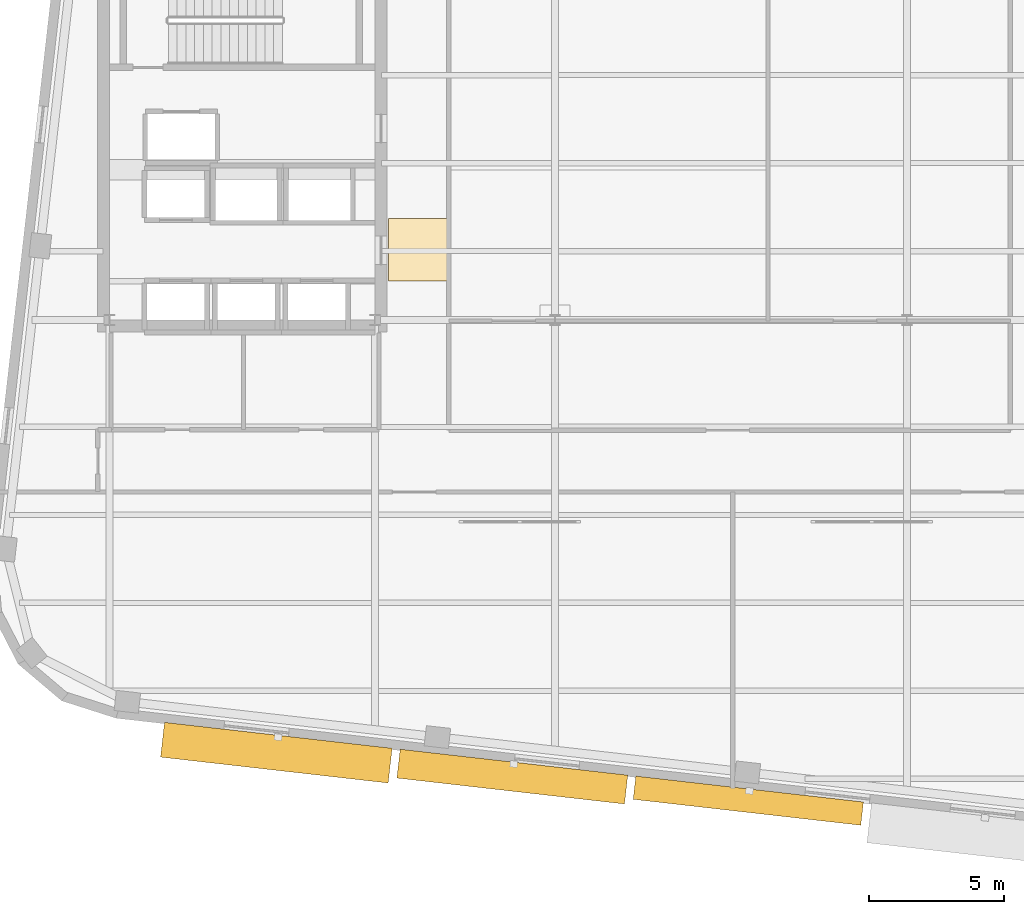
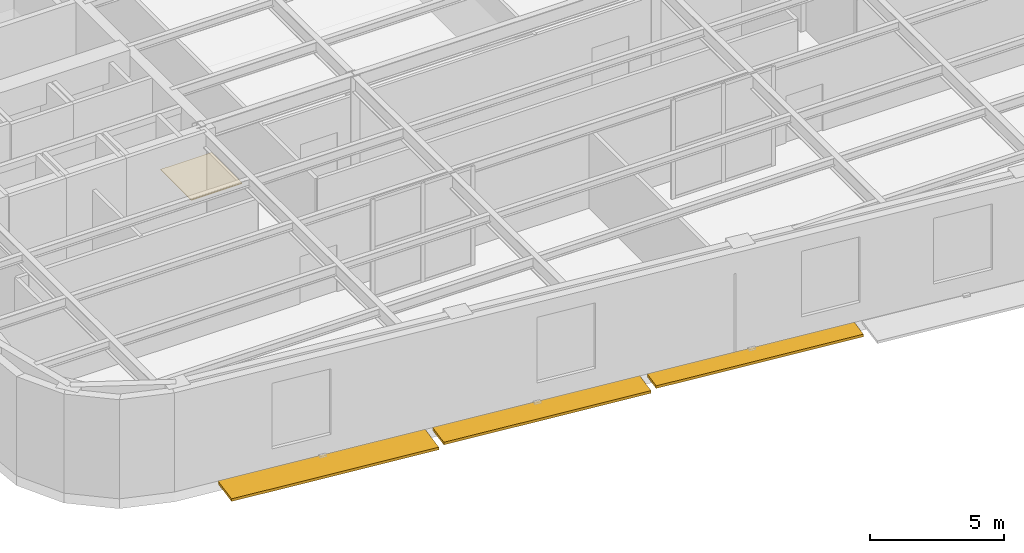
# One storey, part 11 of 15: 3 shading devices, 1 covering.
"""IFC4 building model written with IfcOpenShell, lengths in metres."""

from ifc_helpers import new_model, si_unit, direction, frame, origin, origin_2d, place, context, subcontext, project, spatial, polyline, rectangle, outline, extrude, material, layer, layer_set, type_object, element, save


model = new_model("IFC4")

# Units and contexts
model_context = context("Model", 3, precision=1e-05, world=origin(), true_north=direction((0.0, 1.0)))
body_context = subcontext(model_context, "Body", "Model", "MODEL_VIEW")
ifc_project = project(units=[si_unit("LENGTHUNIT", "METRE"), si_unit("AREAUNIT", "SQUARE_METRE"), si_unit("VOLUMEUNIT", "CUBIC_METRE"), si_unit("PLANEANGLEUNIT", "RADIAN"), si_unit("MASSUNIT", "GRAM", prefix="KILO")], contexts=[model_context])

# Site, building, storey
site_placement = place(None, origin())
site = spatial("IfcSite", under=ifc_project, at=site_placement, CompositionType="ELEMENT")
building_placement = place(site_placement, origin())
building = spatial("IfcBuilding", under=site, at=building_placement, Name="Kolvaren Arena Tower", CompositionType="ELEMENT")
storey_placement = place(building_placement, frame((0.0, 0.0, 216.14990234375)))
storey = spatial("IfcBuildingStorey", under=building, at=storey_placement, Name="L52", CompositionType="ELEMENT", Elevation=216.14990234375)

# Covering
ifc_material_1 = material(Name="Polished granite terrazzo flooring", Category="masonry")
ifc_layer = layer(ifc_material_1, 0.034912109375)
ifc_layer_set = layer_set([ifc_layer], Name="Polished granite terrazzo flooring")
covering_type = type_object("IfcCoveringType", Name="FLOR-TRZ-1", PredefinedType="FLOORING", material=ifc_layer_set)
covering_placement = place(storey_placement, origin())
element("IfcCovering", 1, at=covering_placement, inside=storey, type_object=covering_type, Name="Floor Finish (L52)", PredefinedType="FLOORING", context=body_context, shape_type="SweptSolid", body=[
    extrude(outline(polyline([(24.85009765625, 20.89990234375), (24.85009765625, 23.199951171875), (27.050048828125, 23.199951171875), (27.050048828125, 20.89990234375), (24.85009765625, 20.89990234375)])), origin(), (0.0, 0.0, 1.0), 0.03515625),
])

# Shading devices
ifc_material_2 = material(Name="Architectural precast GFRC and anodised aluminium sunshade", Category="concrete")
shading_device_type_1 = type_object("IfcShadingDeviceType", Name="SHAD-SINE-A", PredefinedType="USERDEFINED", material=ifc_material_2)
shading_device_1_placement = place(storey_placement, frame((38.1416015625, 1.69873046875, -0.139892578125), z_axis=(0.0, 0.0, 1.0), x_axis=(-0.993571658098, 0.113204947878, 0.0)))
element("IfcShadingDevice", 2, at=shading_device_1_placement, inside=storey, type_object=shading_device_type_1, Name="Sinusoidal Slab-Edge Sunshade Louvre (L52)", ObjectType="LOUVRE", PredefinedType="USERDEFINED", context=body_context, shape_type="SweptSolid", body=[
    extrude(rectangle(XDim=8.4599609375, YDim=0.864501953125, at=origin_2d()), origin(), (0.0, 0.0, 1.0), 0.1201171875),
])
shading_device_2_placement = place(storey_placement, frame((29.42626953125, 2.58740234375, -0.139892578125), z_axis=(0.0, 0.0, 1.0), x_axis=(-0.993571658098, 0.113204947878, 0.0)))
element("IfcShadingDevice", 3, at=shading_device_2_placement, inside=storey, type_object=shading_device_type_1, Name="Sinusoidal Slab-Edge Sunshade Louvre (L52)", ObjectType="LOUVRE", PredefinedType="USERDEFINED", context=body_context, shape_type="SweptSolid", body=[
    extrude(rectangle(XDim=8.4599609375, YDim=1.072265625, at=origin_2d()), origin(), (0.0, 0.0, 1.0), 0.1201171875),
])
shading_device_type_2 = type_object("IfcShadingDeviceType", Name="SHAD-SINE-B", PredefinedType="JALOUSIE", material=ifc_material_2)
shading_device_3_placement = place(storey_placement, frame((20.710205078125, 3.470458984375, -0.139892578125), z_axis=(0.0, 0.0, 1.0), x_axis=(-0.993571658098, 0.113204947878, 0.0)))
element("IfcShadingDevice", 4, at=shading_device_3_placement, inside=storey, type_object=shading_device_type_2, Name="Sinusoidal Slab-Edge Sunshade Louvre (L52)", PredefinedType="JALOUSIE", context=body_context, shape_type="SweptSolid", body=[
    extrude(rectangle(XDim=8.4599609375, YDim=1.291015625, at=origin_2d()), origin(), (0.0, 0.0, 1.0), 0.1201171875),
])

save(model, "model.ifc")
